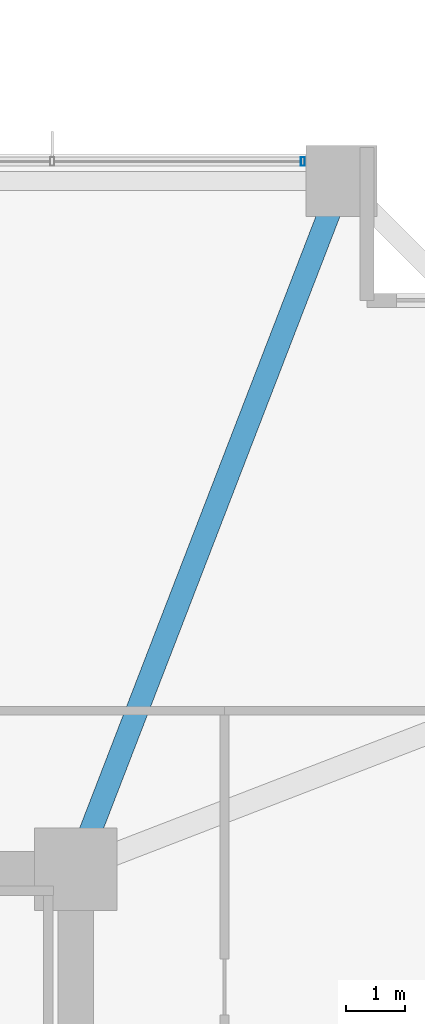
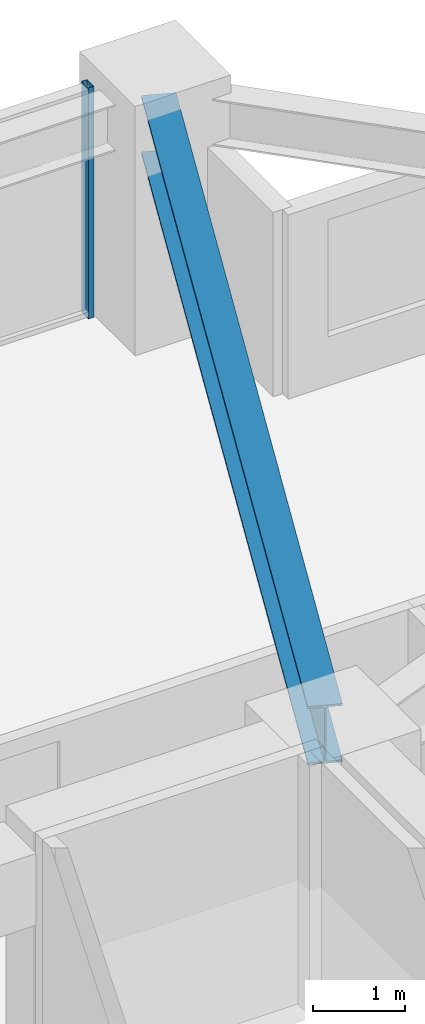
# One storey, part 25 of 38: 1 beam, 1 member, 1 element without a shape of its own.
"""IFC4 building model written with IfcOpenShell, lengths in metres."""

from ifc_helpers import new_model, si_unit, direction, frame, origin, origin_2d, place, context, subcontext, project, spatial, hollow_rectangle, i_section, extrude, material, material_profile, profile_set, type_object, element, aggregate, save


model = new_model("IFC4")

# Units and contexts
model_context = context("Model", 3, precision=1e-05, world=origin(), true_north=direction((0.0, 1.0)))
body_context = subcontext(model_context, "Body", "Model", "MODEL_VIEW")
ifc_project = project(units=[si_unit("LENGTHUNIT", "METRE"), si_unit("AREAUNIT", "SQUARE_METRE"), si_unit("VOLUMEUNIT", "CUBIC_METRE"), si_unit("PLANEANGLEUNIT", "RADIAN"), si_unit("MASSUNIT", "GRAM", prefix="KILO")], contexts=[model_context])

# Site, building, storey
site_placement = place(None, origin())
site = spatial("IfcSite", under=ifc_project, at=site_placement, CompositionType="ELEMENT")
building_placement = place(site_placement, origin())
building = spatial("IfcBuilding", under=site, at=building_placement, Name="Kolvaren Belvedere", CompositionType="ELEMENT")
storey_placement = place(building_placement, frame((0.0, 0.0, 30.39990234375)))
storey = spatial("IfcBuildingStorey", under=building, at=storey_placement, Name="L08", CompositionType="ELEMENT", Elevation=30.39990234375)

# Beam
ifc_material_1 = material(Name="Structural steel ASTM A992 Grade 50", Category="steel")
ifc_material_profile_1 = material_profile(ifc_material_1, i_section(OverallWidth=0.381103515625, OverallDepth=0.77294921875, WebThickness=0.0166015625, FlangeThickness=0.027099609375, FilletRadius=0.02392578125, at=origin_2d()), Name="W30X173")
ifc_profile_set_1 = profile_set([ifc_material_profile_1], Name="Structural steel ASTM A992 Grade 50")
beam_type = type_object("IfcBeamType", Name="BM-GIRD-W30X173", PredefinedType="BEAM", material=ifc_profile_set_1)
beam_placement = place(storey_placement, frame((10.09814453125, 10.4130859375, 2.673583984375), z_axis=(0.360318391835, 0.932829382313, 0.0), x_axis=(-0.932829382313, 0.360318391835, 0.0)))
element("IfcBeam", 1, at=beam_placement, inside=storey, type_object=beam_type, Name="L08 Corner Core-to-Perimeter Girder CC3-N4", PredefinedType="BEAM", context=body_context, shape_type="SweptSolid", body=[
    extrude(i_section(OverallWidth=0.381103515625, OverallDepth=0.77294921875, WebThickness=0.0166015625, FlangeThickness=0.027099609375, FilletRadius=0.02392578125, at=origin_2d()), origin(), (0.0, 0.0, 1.0), 11.698974609375),
])

# Curtain wall, member
ifc_material_2 = material(Name="Anodised pale-metal aluminium AA 6063-T6", Category="aluminium")
curtain_wall_type = type_object("IfcCurtainWallType", Name="CW-Z1-LOW", PredefinedType="NOTDEFINED", material=ifc_material_2)
curtain_wall_placement = place(storey_placement, origin())
curtain_wall = element("IfcCurtainWall", 2, at=curtain_wall_placement, inside=storey, type_object=curtain_wall_type, Name="L08 Unitised Curtain Wall FCW-L08-N2-B2", PredefinedType="NOTDEFINED")
ifc_material_3 = material(Name="Anodised pale-metal aluminium AA 6063-T6", Category="aluminium")
ifc_material_profile_2 = material_profile(ifc_material_3, hollow_rectangle(XDim=0.070068359375, YDim=0.14990234375, WallThickness=0.004150390625, at=origin_2d()), Name="ALU-MUL-150X70")
ifc_profile_set_2 = profile_set([ifc_material_profile_2], Name="Anodised pale-metal aluminium AA 6063-T6")
member_type = type_object("IfcMemberType", Name="CW-MUL-150", PredefinedType="MULLION", material=ifc_profile_set_2)
member_placement = place(storey_placement, frame((13.7451171875, 21.8798828125, 0.0), z_axis=(0.0, 0.0, 1.0), x_axis=(1.0, 0.0, 0.0)))
member = element("IfcMember", 3, at=member_placement, type_object=member_type, Name="FCW-L08-N2-B2 Unitised Mullion 3", PredefinedType="MULLION", context=body_context, shape_type="SweptSolid", body=[
    extrude(hollow_rectangle(XDim=0.070068359375, YDim=0.14990234375, WallThickness=0.004150390625, at=origin_2d()), origin(), (0.0, 0.0, 1.0), 3.06005859375),
])
aggregate(curtain_wall, [member])

save(model, "model.ifc")
